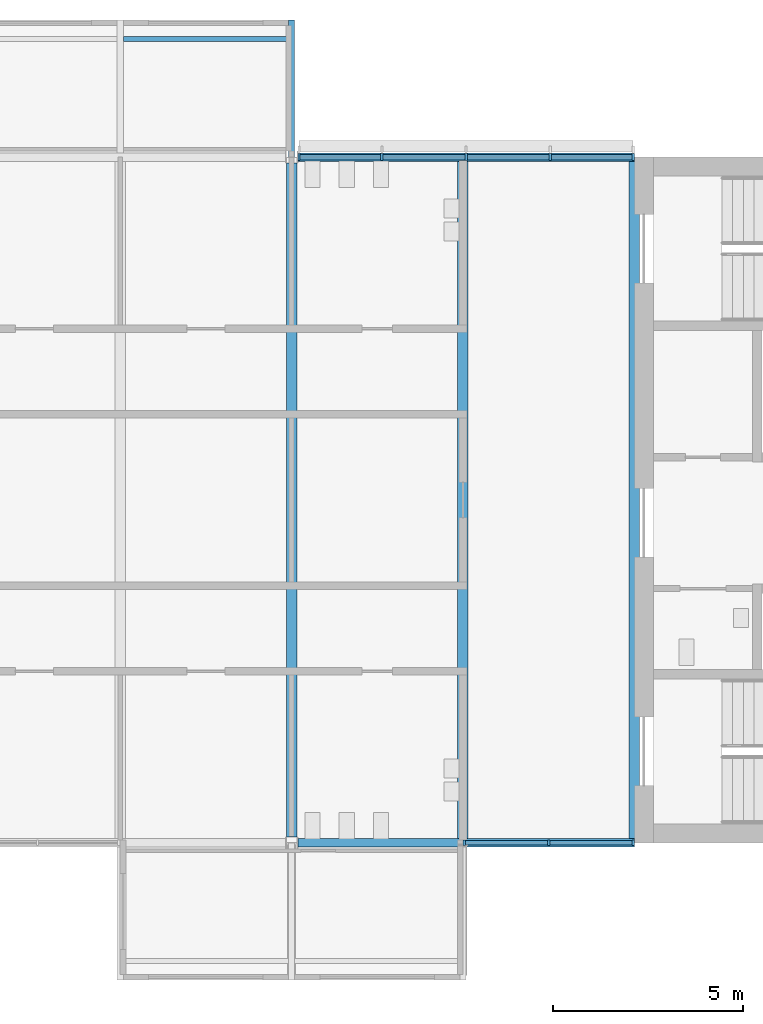
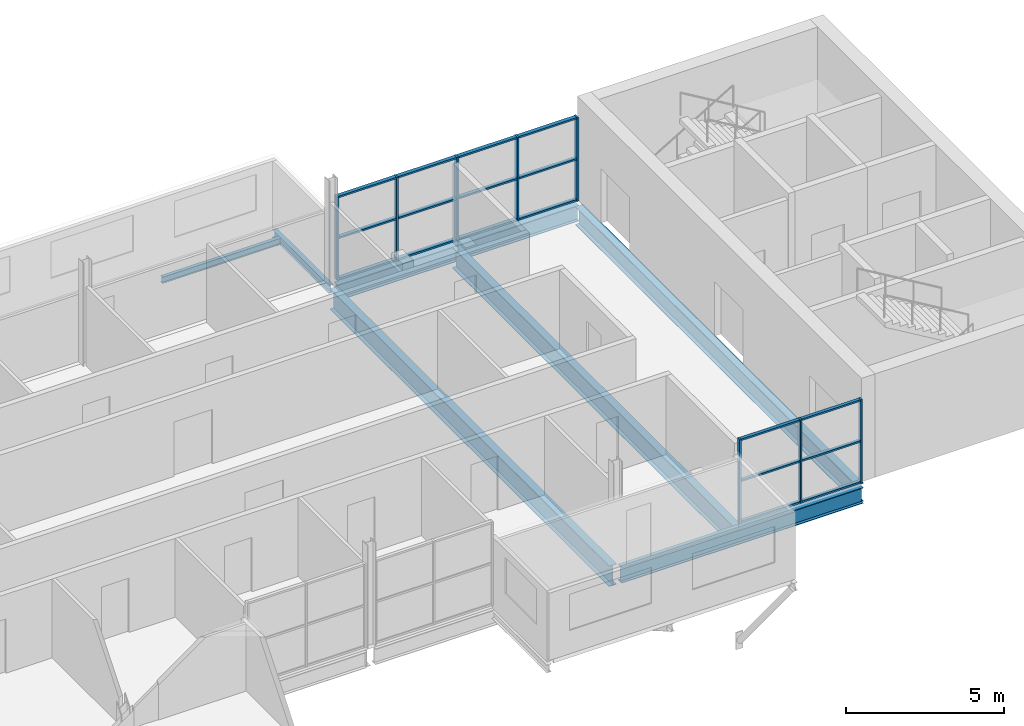
# One storey, part 3 of 12: 26 members, 7 beams, 2 elements without a shape of their own.
"""IFC4 building model written with IfcOpenShell, lengths in metres."""

from ifc_helpers import new_model, si_unit, direction, frame, origin, origin_2d, place, context, subcontext, project, spatial, rectangle, i_section, extrude, material, layer, layer_set, material_profile, profile_set, type_object, element, aggregate, save


model = new_model("IFC4")

# Units and contexts
model_context = context("Model", 3, precision=1e-05, world=origin(), true_north=direction((0.0, 1.0)))
body_context = subcontext(model_context, "Body", "Model", "MODEL_VIEW")
ifc_project = project(units=[si_unit("LENGTHUNIT", "METRE"), si_unit("AREAUNIT", "SQUARE_METRE"), si_unit("VOLUMEUNIT", "CUBIC_METRE"), si_unit("PLANEANGLEUNIT", "RADIAN"), si_unit("MASSUNIT", "GRAM", prefix="KILO")], contexts=[model_context])

# Site, building, storey
site_placement = place(None, origin())
site = spatial("IfcSite", under=ifc_project, at=site_placement, CompositionType="ELEMENT")
building_placement = place(site_placement, origin())
building = spatial("IfcBuilding", under=site, at=building_placement, Name="Corbel Yard City Hall", CompositionType="ELEMENT")
storey_placement = place(building_placement, frame((0.0, 0.0, 55.199951171875)))
storey = spatial("IfcBuildingStorey", under=building, at=storey_placement, Name="L13", CompositionType="ELEMENT", Elevation=55.199951171875)

# Beams
ifc_material_1 = material(Name="Steel Grade 300 (300 MPa yield)", Category="steel")
ifc_material_profile_1 = material_profile(ifc_material_1, i_section(OverallWidth=0.22900390625, OverallDepth=0.612060546875, WebThickness=0.011962890625, FlangeThickness=0.01953125, at=origin_2d()), Name="610UB125")
ifc_profile_set_1 = profile_set([ifc_material_profile_1], Name="Steel Grade 300 (300 MPa yield)")
beam_type_1 = type_object("IfcBeamType", Name="Edge beam 610UB125", PredefinedType="BEAM", material=ifc_profile_set_1)
for number, where, z_axis, x_axis, name in (
    (1, (36.16357421875, 99.0, -0.4560546875), (1.0, 0.0, 0.0), (0.0, 1.0, 0.0), "Edge beam 610UB125 EB7 L13tower"),
    (2, (36.16357421875, 117.0, -0.4560546875), (1.0, 0.0, 0.0), (0.0, 1.0, 0.0), "Edge beam 610UB125 EB7 L13tower"),
):
    element("IfcBeam", number, at=place(storey_placement, frame(where, z_axis=z_axis, x_axis=x_axis)), inside=storey, type_object=beam_type_1, Name=name, PredefinedType="BEAM", context=body_context, shape_type="SweptSolid", body=[
        extrude(i_section(OverallWidth=0.22900390625, OverallDepth=0.612060546875, WebThickness=0.011962890625, FlangeThickness=0.01953125, at=origin_2d()), origin(), (0.0, 0.0, 1.0), 8.83642578125),
    ])
ifc_material_2 = material(Name="Steel Grade 350", Category="steel")
ifc_material_profile_2 = material_profile(ifc_material_2, i_section(OverallWidth=0.27490234375, OverallDepth=0.800048828125, WebThickness=0.010009765625, FlangeThickness=0.02001953125, at=origin_2d()), Name="800WB146")
ifc_profile_set_2 = profile_set([ifc_material_profile_2], Name="Steel Grade 350")
beam_type_2 = type_object("IfcBeamType", Name="Long-span beam 800WB146", PredefinedType="BEAM", material=ifc_profile_set_2)
beam_1_placement = place(storey_placement, frame((36.0, 99.155517578125, -0.550048828125), z_axis=(0.0, 1.0, 0.0), x_axis=(-1.0, 0.0, 0.0)))
element("IfcBeam", 3, at=beam_1_placement, inside=storey, type_object=beam_type_2, Name="Long-span beam 800WB146 SB8 L13tower", PredefinedType="BEAM", context=body_context, shape_type="SweptSolid", body=[
    extrude(i_section(OverallWidth=0.27490234375, OverallDepth=0.800048828125, WebThickness=0.010009765625, FlangeThickness=0.02001953125, at=origin_2d()), origin(), (0.0, 0.0, 1.0), 17.68896484375),
])
ifc_material_profile_3 = material_profile(ifc_material_2, i_section(OverallWidth=0.27490234375, OverallDepth=0.716064453125, WebThickness=0.010009765625, FlangeThickness=0.028076171875, at=origin_2d()), Name="700WB173")
ifc_profile_set_3 = profile_set([ifc_material_profile_3], Name="Steel Grade 350")
beam_type_3 = type_object("IfcBeamType", Name="Long-span edge beam 700WB173", PredefinedType="BEAM", material=ifc_profile_set_3)
beam_2_placement = place(storey_placement, frame((45.0, 99.114501953125, -0.508056640625), z_axis=(0.0, 1.0, 0.0), x_axis=(-1.0, 0.0, 0.0)))
element("IfcBeam", 4, at=beam_2_placement, inside=storey, type_object=beam_type_3, Name="Long-span edge beam 700WB173 EB10 L13tower", PredefinedType="BEAM", context=body_context, shape_type="SweptSolid", body=[
    extrude(i_section(OverallWidth=0.27490234375, OverallDepth=0.716064453125, WebThickness=0.010009765625, FlangeThickness=0.028076171875, at=origin_2d()), origin(), (0.0, 0.0, 1.0), 17.77099609375),
])
ifc_material_profile_4 = material_profile(ifc_material_2, i_section(OverallWidth=0.27490234375, OverallDepth=0.800048828125, WebThickness=0.010009765625, FlangeThickness=0.02001953125, at=origin_2d()), Name="800WB146")
ifc_profile_set_4 = profile_set([ifc_material_profile_4], Name="Steel Grade 350")
beam_type_4 = type_object("IfcBeamType", Name="Long-span secondary beam 800WB146", PredefinedType="JOIST", material=ifc_profile_set_4)
beam_3_placement = place(storey_placement, frame((40.5, 99.114501953125, -0.550048828125), z_axis=(0.0, 1.0, 0.0), x_axis=(-1.0, 0.0, 0.0)))
element("IfcBeam", 5, at=beam_3_placement, inside=storey, type_object=beam_type_4, Name="Long-span secondary beam 800WB146 SB7 L13tower", PredefinedType="JOIST", context=body_context, shape_type="SweptSolid", body=[
    extrude(i_section(OverallWidth=0.27490234375, OverallDepth=0.800048828125, WebThickness=0.010009765625, FlangeThickness=0.02001953125, at=origin_2d()), origin(), (0.0, 0.0, 1.0), 17.77099609375),
])

# Curtain wall, members
ifc_material_3 = material(Name="Aluminium extrusion", Category="aluminium")
ifc_layer_1 = layer(ifc_material_3, 0.14990234375)
ifc_layer_set_1 = layer_set([ifc_layer_1], Name="Aluminium extrusion")
curtain_wall_type_1 = type_object("IfcCurtainWallType", Name="CW2", PredefinedType="USERDEFINED", material=ifc_layer_set_1)
curtain_wall_1_placement = place(storey_placement, origin())
curtain_wall_1 = element("IfcCurtainWall", 6, at=curtain_wall_1_placement, inside=storey, type_object=curtain_wall_type_1, Name="Curtain wall CW2 L13", ObjectType="CURTAIN WALL", PredefinedType="USERDEFINED")
ifc_material_profile_5 = material_profile(ifc_material_3, rectangle(XDim=0.14990234375, YDim=0.06494140625, at=origin_2d()), Name="150x65")
ifc_profile_set_5 = profile_set([ifc_material_profile_5], Name="Aluminium extrusion")
member_type_1 = type_object("IfcMemberType", Name="ML2", PredefinedType="MULLION", material=ifc_profile_set_5)
member_1_placement = place(storey_placement, frame((40.532470703125, 99.0, 0.0), z_axis=(0.0, 0.0, 1.0), x_axis=(0.0, 1.0, 0.0)))
member_1 = element("IfcMember", 7, at=member_1_placement, type_object=member_type_1, Name="CW2 mullion 1", PredefinedType="MULLION", context=body_context, shape_type="SweptSolid", body=[
    extrude(rectangle(XDim=0.14990234375, YDim=0.06494140625, at=origin_2d()), origin(), (0.0, 0.0, 1.0), 3.238037109375),
])
member_2_placement = place(storey_placement, frame((42.75, 99.0, 0.0), z_axis=(0.0, 0.0, 1.0), x_axis=(0.0, 1.0, 0.0)))
member_2 = element("IfcMember", 8, at=member_2_placement, type_object=member_type_1, Name="CW2 mullion 2", PredefinedType="MULLION", context=body_context, shape_type="SweptSolid", body=[
    extrude(rectangle(XDim=0.14990234375, YDim=0.06494140625, at=origin_2d()), origin(), (0.0, 0.0, 1.0), 3.238037109375),
])
member_3_placement = place(storey_placement, frame((44.967529296875, 99.0, 0.0), z_axis=(0.0, 0.0, 1.0), x_axis=(0.0, 1.0, 0.0)))
member_3 = element("IfcMember", 9, at=member_3_placement, type_object=member_type_1, Name="CW2 mullion 3", PredefinedType="MULLION", context=body_context, shape_type="SweptSolid", body=[
    extrude(rectangle(XDim=0.14990234375, YDim=0.06494140625, at=origin_2d()), origin(), (0.0, 0.0, 1.0), 3.238037109375),
])

ifc_layer_2 = layer(ifc_material_3, 0.179931640625)
ifc_layer_set_2 = layer_set([ifc_layer_2], Name="Aluminium extrusion")
curtain_wall_type_2 = type_object("IfcCurtainWallType", Name="CW6", PredefinedType="USERDEFINED", material=ifc_layer_set_2)
curtain_wall_2_placement = place(storey_placement, origin())
curtain_wall_2 = element("IfcCurtainWall", 10, at=curtain_wall_2_placement, inside=storey, type_object=curtain_wall_type_2, Name="Curtain wall CW6 L13", ObjectType="CURTAIN WALL", PredefinedType="USERDEFINED")
ifc_material_profile_6 = material_profile(ifc_material_3, rectangle(XDim=0.179931640625, YDim=0.06494140625, at=origin_2d()), Name="180x65")
ifc_profile_set_6 = profile_set([ifc_material_profile_6], Name="Aluminium extrusion")
member_type_2 = type_object("IfcMemberType", Name="ML6", PredefinedType="MULLION", material=ifc_profile_set_6)
member_4_placement = place(storey_placement, frame((36.196044921875, 117.0, 0.0), z_axis=(0.0, 0.0, 1.0), x_axis=(0.0, 1.0, 0.0)))
member_4 = element("IfcMember", 11, at=member_4_placement, type_object=member_type_2, Name="CW6 mullion 1", PredefinedType="MULLION", context=body_context, shape_type="SweptSolid", body=[
    extrude(rectangle(XDim=0.179931640625, YDim=0.06494140625, at=origin_2d()), origin(), (0.0, 0.0, 1.0), 3.238037109375),
])
member_5_placement = place(storey_placement, frame((38.37255859375, 117.0, 0.0), z_axis=(0.0, 0.0, 1.0), x_axis=(0.0, 1.0, 0.0)))
member_5 = element("IfcMember", 12, at=member_5_placement, type_object=member_type_2, Name="CW6 mullion 2", PredefinedType="MULLION", context=body_context, shape_type="SweptSolid", body=[
    extrude(rectangle(XDim=0.179931640625, YDim=0.06494140625, at=origin_2d()), origin(), (0.0, 0.0, 1.0), 3.238037109375),
])
member_6_placement = place(storey_placement, frame((40.581787109375, 117.0, 0.0), z_axis=(0.0, 0.0, 1.0), x_axis=(0.0, 1.0, 0.0)))
member_6 = element("IfcMember", 13, at=member_6_placement, type_object=member_type_2, Name="CW6 mullion 3", PredefinedType="MULLION", context=body_context, shape_type="SweptSolid", body=[
    extrude(rectangle(XDim=0.179931640625, YDim=0.06494140625, at=origin_2d()), origin(), (0.0, 0.0, 1.0), 3.238037109375),
])
member_7_placement = place(storey_placement, frame((42.790771484375, 117.0, 0.0), z_axis=(0.0, 0.0, 1.0), x_axis=(0.0, 1.0, 0.0)))
member_7 = element("IfcMember", 14, at=member_7_placement, type_object=member_type_2, Name="CW6 mullion 4", PredefinedType="MULLION", context=body_context, shape_type="SweptSolid", body=[
    extrude(rectangle(XDim=0.179931640625, YDim=0.06494140625, at=origin_2d()), origin(), (0.0, 0.0, 1.0), 3.238037109375),
])
member_8_placement = place(storey_placement, frame((44.967529296875, 117.0, 0.0), z_axis=(0.0, 0.0, 1.0), x_axis=(0.0, 1.0, 0.0)))
member_8 = element("IfcMember", 15, at=member_8_placement, type_object=member_type_2, Name="CW6 mullion 5", PredefinedType="MULLION", context=body_context, shape_type="SweptSolid", body=[
    extrude(rectangle(XDim=0.179931640625, YDim=0.06494140625, at=origin_2d()), origin(), (0.0, 0.0, 1.0), 3.238037109375),
])

# Beams
ifc_material_profile_7 = material_profile(ifc_material_1, i_section(OverallWidth=0.166015625, OverallDepth=0.306884765625, WebThickness=0.006591796875, FlangeThickness=0.01171875, at=origin_2d()), Name="310UB46.2")
ifc_profile_set_7 = profile_set([ifc_material_profile_7], Name="Steel Grade 300 (300 MPa yield)")
beam_type_5 = type_object("IfcBeamType", Name="Pod stub beam 310UB46.2", PredefinedType="BEAM", material=ifc_profile_set_7)
beam_4_placement = place(storey_placement, frame((36.0, 117.0078125, -0.303466796875), z_axis=(0.0, 1.0, 0.0), x_axis=(-1.0, 0.0, 0.0)))
element("IfcBeam", 16, at=beam_4_placement, inside=storey, type_object=beam_type_5, Name="Pod stub 310UB46.2 CB1 L13", PredefinedType="BEAM", context=body_context, shape_type="SweptSolid", body=[
    extrude(i_section(OverallWidth=0.166015625, OverallDepth=0.306884765625, WebThickness=0.006591796875, FlangeThickness=0.01171875, at=origin_2d()), origin(), (0.0, 0.0, 1.0), 3.59228515625),
])
ifc_material_profile_8 = material_profile(ifc_material_1, i_section(OverallWidth=0.1240234375, OverallDepth=0.248046875, WebThickness=0.0048828125, FlangeThickness=0.008056640625, at=origin_2d()), Name="250UB25.7")
ifc_profile_set_8 = profile_set([ifc_material_profile_8], Name="Steel Grade 300 (300 MPa yield)")
beam_type_6 = type_object("IfcBeamType", Name="Pod tip beam", PredefinedType="BEAM", material=ifc_profile_set_8)
beam_5_placement = place(storey_placement, frame((31.5830078125, 120.10009765625, -0.27392578125), z_axis=(1.0, 0.0, 0.0), x_axis=(0.0, 1.0, 0.0)))
element("IfcBeam", 17, at=beam_5_placement, inside=storey, type_object=beam_type_6, Name="Pod tip beam", PredefinedType="BEAM", context=body_context, shape_type="SweptSolid", body=[
    extrude(i_section(OverallWidth=0.1240234375, OverallDepth=0.248046875, WebThickness=0.0048828125, FlangeThickness=0.008056640625, at=origin_2d()), origin(), (0.0, 0.0, 1.0), 4.333984375),
])

# Member
ifc_material_profile_9 = material_profile(ifc_material_3, rectangle(XDim=0.1201171875, YDim=0.06494140625, at=origin_2d()), Name="120x65")
ifc_profile_set_9 = profile_set([ifc_material_profile_9], Name="Aluminium extrusion")
member_type_3 = type_object("IfcMemberType", Name="TR2", PredefinedType="USERDEFINED", material=ifc_profile_set_9)
member_9_placement = place(storey_placement, frame((40.56494140625, 99.0, 0.032470703125), z_axis=(1.0, 0.0, 0.0), x_axis=(0.0, 1.0, 0.0)))
member_9 = element("IfcMember", 18, at=member_9_placement, type_object=member_type_3, Name="CW2 transom 1.1", ObjectType="TRANSOM", PredefinedType="USERDEFINED", context=body_context, shape_type="SweptSolid", body=[
    extrude(rectangle(XDim=0.1201171875, YDim=0.06494140625, at=origin_2d()), origin(), (0.0, 0.0, 1.0), 2.152587890625),
])

member_10_placement = place(storey_placement, frame((40.56494140625, 99.0, 1.619140625), z_axis=(1.0, 0.0, 0.0), x_axis=(0.0, 1.0, 0.0)))
member_10 = element("IfcMember", 19, at=member_10_placement, type_object=member_type_3, Name="CW2 transom 1.2", ObjectType="TRANSOM", PredefinedType="USERDEFINED", context=body_context, shape_type="SweptSolid", body=[
    extrude(rectangle(XDim=0.1201171875, YDim=0.06494140625, at=origin_2d()), origin(), (0.0, 0.0, 1.0), 2.152587890625),
])

member_11_placement = place(storey_placement, frame((40.56494140625, 99.0, 3.20556640625), z_axis=(1.0, 0.0, 0.0), x_axis=(0.0, 1.0, 0.0)))
member_11 = element("IfcMember", 20, at=member_11_placement, type_object=member_type_3, Name="CW2 transom 1.3", ObjectType="TRANSOM", PredefinedType="USERDEFINED", context=body_context, shape_type="SweptSolid", body=[
    extrude(rectangle(XDim=0.1201171875, YDim=0.06494140625, at=origin_2d()), origin(), (0.0, 0.0, 1.0), 2.152587890625),
])

member_12_placement = place(storey_placement, frame((42.782470703125, 99.0, 0.032470703125), z_axis=(1.0, 0.0, 0.0), x_axis=(0.0, 1.0, 0.0)))
member_12 = element("IfcMember", 21, at=member_12_placement, type_object=member_type_3, Name="CW2 transom 2.1", ObjectType="TRANSOM", PredefinedType="USERDEFINED", context=body_context, shape_type="SweptSolid", body=[
    extrude(rectangle(XDim=0.1201171875, YDim=0.06494140625, at=origin_2d()), origin(), (0.0, 0.0, 1.0), 2.152587890625),
])

member_13_placement = place(storey_placement, frame((42.782470703125, 99.0, 1.619140625), z_axis=(1.0, 0.0, 0.0), x_axis=(0.0, 1.0, 0.0)))
member_13 = element("IfcMember", 22, at=member_13_placement, type_object=member_type_3, Name="CW2 transom 2.2", ObjectType="TRANSOM", PredefinedType="USERDEFINED", context=body_context, shape_type="SweptSolid", body=[
    extrude(rectangle(XDim=0.1201171875, YDim=0.06494140625, at=origin_2d()), origin(), (0.0, 0.0, 1.0), 2.152587890625),
])

member_14_placement = place(storey_placement, frame((42.782470703125, 99.0, 3.20556640625), z_axis=(1.0, 0.0, 0.0), x_axis=(0.0, 1.0, 0.0)))
member_14 = element("IfcMember", 23, at=member_14_placement, type_object=member_type_3, Name="CW2 transom 2.3", ObjectType="TRANSOM", PredefinedType="USERDEFINED", context=body_context, shape_type="SweptSolid", body=[
    extrude(rectangle(XDim=0.1201171875, YDim=0.06494140625, at=origin_2d()), origin(), (0.0, 0.0, 1.0), 2.152587890625),
])

aggregate(curtain_wall_1, [member_1, member_2, member_3, member_9, member_10, member_11, member_12, member_13, member_14])

ifc_material_profile_10 = material_profile(ifc_material_3, rectangle(XDim=0.139892578125, YDim=0.06494140625, at=origin_2d()), Name="140x65")
ifc_profile_set_10 = profile_set([ifc_material_profile_10], Name="Aluminium extrusion")
member_type_4 = type_object("IfcMemberType", Name="TR6", PredefinedType="USERDEFINED", material=ifc_profile_set_10)
member_15_placement = place(storey_placement, frame((36.228515625, 117.0, 0.032470703125), z_axis=(1.0, 0.0, 0.0), x_axis=(0.0, 1.0, 0.0)))
member_15 = element("IfcMember", 24, at=member_15_placement, type_object=member_type_4, Name="CW6 transom 1.1", ObjectType="TRANSOM", PredefinedType="USERDEFINED", context=body_context, shape_type="SweptSolid", body=[
    extrude(rectangle(XDim=0.139892578125, YDim=0.06494140625, at=origin_2d()), origin(), (0.0, 0.0, 1.0), 2.111572265625),
])

member_16_placement = place(storey_placement, frame((36.228515625, 117.0, 1.619140625), z_axis=(1.0, 0.0, 0.0), x_axis=(0.0, 1.0, 0.0)))
member_16 = element("IfcMember", 25, at=member_16_placement, type_object=member_type_4, Name="CW6 transom 1.2", ObjectType="TRANSOM", PredefinedType="USERDEFINED", context=body_context, shape_type="SweptSolid", body=[
    extrude(rectangle(XDim=0.139892578125, YDim=0.06494140625, at=origin_2d()), origin(), (0.0, 0.0, 1.0), 2.111572265625),
])

member_17_placement = place(storey_placement, frame((36.228515625, 117.0, 3.20556640625), z_axis=(1.0, 0.0, 0.0), x_axis=(0.0, 1.0, 0.0)))
member_17 = element("IfcMember", 26, at=member_17_placement, type_object=member_type_4, Name="CW6 transom 1.3", ObjectType="TRANSOM", PredefinedType="USERDEFINED", context=body_context, shape_type="SweptSolid", body=[
    extrude(rectangle(XDim=0.139892578125, YDim=0.06494140625, at=origin_2d()), origin(), (0.0, 0.0, 1.0), 2.111572265625),
])

member_18_placement = place(storey_placement, frame((38.405029296875, 117.0, 0.032470703125), z_axis=(1.0, 0.0, 0.0), x_axis=(0.0, 1.0, 0.0)))
member_18 = element("IfcMember", 27, at=member_18_placement, type_object=member_type_4, Name="CW6 transom 2.1", ObjectType="TRANSOM", PredefinedType="USERDEFINED", context=body_context, shape_type="SweptSolid", body=[
    extrude(rectangle(XDim=0.139892578125, YDim=0.06494140625, at=origin_2d()), origin(), (0.0, 0.0, 1.0), 2.144287109375),
])

member_19_placement = place(storey_placement, frame((38.405029296875, 117.0, 1.619140625), z_axis=(1.0, 0.0, 0.0), x_axis=(0.0, 1.0, 0.0)))
member_19 = element("IfcMember", 28, at=member_19_placement, type_object=member_type_4, Name="CW6 transom 2.2", ObjectType="TRANSOM", PredefinedType="USERDEFINED", context=body_context, shape_type="SweptSolid", body=[
    extrude(rectangle(XDim=0.139892578125, YDim=0.06494140625, at=origin_2d()), origin(), (0.0, 0.0, 1.0), 2.144287109375),
])

member_20_placement = place(storey_placement, frame((38.405029296875, 117.0, 3.20556640625), z_axis=(1.0, 0.0, 0.0), x_axis=(0.0, 1.0, 0.0)))
member_20 = element("IfcMember", 29, at=member_20_placement, type_object=member_type_4, Name="CW6 transom 2.3", ObjectType="TRANSOM", PredefinedType="USERDEFINED", context=body_context, shape_type="SweptSolid", body=[
    extrude(rectangle(XDim=0.139892578125, YDim=0.06494140625, at=origin_2d()), origin(), (0.0, 0.0, 1.0), 2.144287109375),
])

member_21_placement = place(storey_placement, frame((40.6142578125, 117.0, 0.032470703125), z_axis=(1.0, 0.0, 0.0), x_axis=(0.0, 1.0, 0.0)))
member_21 = element("IfcMember", 30, at=member_21_placement, type_object=member_type_4, Name="CW6 transom 3.1", ObjectType="TRANSOM", PredefinedType="USERDEFINED", context=body_context, shape_type="SweptSolid", body=[
    extrude(rectangle(XDim=0.139892578125, YDim=0.06494140625, at=origin_2d()), origin(), (0.0, 0.0, 1.0), 2.14404296875),
])

member_22_placement = place(storey_placement, frame((40.6142578125, 117.0, 1.619140625), z_axis=(1.0, 0.0, 0.0), x_axis=(0.0, 1.0, 0.0)))
member_22 = element("IfcMember", 31, at=member_22_placement, type_object=member_type_4, Name="CW6 transom 3.2", ObjectType="TRANSOM", PredefinedType="USERDEFINED", context=body_context, shape_type="SweptSolid", body=[
    extrude(rectangle(XDim=0.139892578125, YDim=0.06494140625, at=origin_2d()), origin(), (0.0, 0.0, 1.0), 2.14404296875),
])

member_23_placement = place(storey_placement, frame((40.6142578125, 117.0, 3.20556640625), z_axis=(1.0, 0.0, 0.0), x_axis=(0.0, 1.0, 0.0)))
member_23 = element("IfcMember", 32, at=member_23_placement, type_object=member_type_4, Name="CW6 transom 3.3", ObjectType="TRANSOM", PredefinedType="USERDEFINED", context=body_context, shape_type="SweptSolid", body=[
    extrude(rectangle(XDim=0.139892578125, YDim=0.06494140625, at=origin_2d()), origin(), (0.0, 0.0, 1.0), 2.14404296875),
])

member_24_placement = place(storey_placement, frame((42.823486328125, 117.0, 0.032470703125), z_axis=(1.0, 0.0, 0.0), x_axis=(0.0, 1.0, 0.0)))
member_24 = element("IfcMember", 33, at=member_24_placement, type_object=member_type_4, Name="CW6 transom 4.1", ObjectType="TRANSOM", PredefinedType="USERDEFINED", context=body_context, shape_type="SweptSolid", body=[
    extrude(rectangle(XDim=0.139892578125, YDim=0.06494140625, at=origin_2d()), origin(), (0.0, 0.0, 1.0), 2.111572265625),
])

member_25_placement = place(storey_placement, frame((42.823486328125, 117.0, 1.619140625), z_axis=(1.0, 0.0, 0.0), x_axis=(0.0, 1.0, 0.0)))
member_25 = element("IfcMember", 34, at=member_25_placement, type_object=member_type_4, Name="CW6 transom 4.2", ObjectType="TRANSOM", PredefinedType="USERDEFINED", context=body_context, shape_type="SweptSolid", body=[
    extrude(rectangle(XDim=0.139892578125, YDim=0.06494140625, at=origin_2d()), origin(), (0.0, 0.0, 1.0), 2.111572265625),
])

member_26_placement = place(storey_placement, frame((42.823486328125, 117.0, 3.20556640625), z_axis=(1.0, 0.0, 0.0), x_axis=(0.0, 1.0, 0.0)))
member_26 = element("IfcMember", 35, at=member_26_placement, type_object=member_type_4, Name="CW6 transom 4.3", ObjectType="TRANSOM", PredefinedType="USERDEFINED", context=body_context, shape_type="SweptSolid", body=[
    extrude(rectangle(XDim=0.139892578125, YDim=0.06494140625, at=origin_2d()), origin(), (0.0, 0.0, 1.0), 2.111572265625),
])

aggregate(curtain_wall_2, [member_4, member_5, member_6, member_7, member_8, member_15, member_16, member_17, member_18, member_19, member_20, member_21, member_22, member_23, member_24, member_25, member_26])

save(model, "model.ifc")
